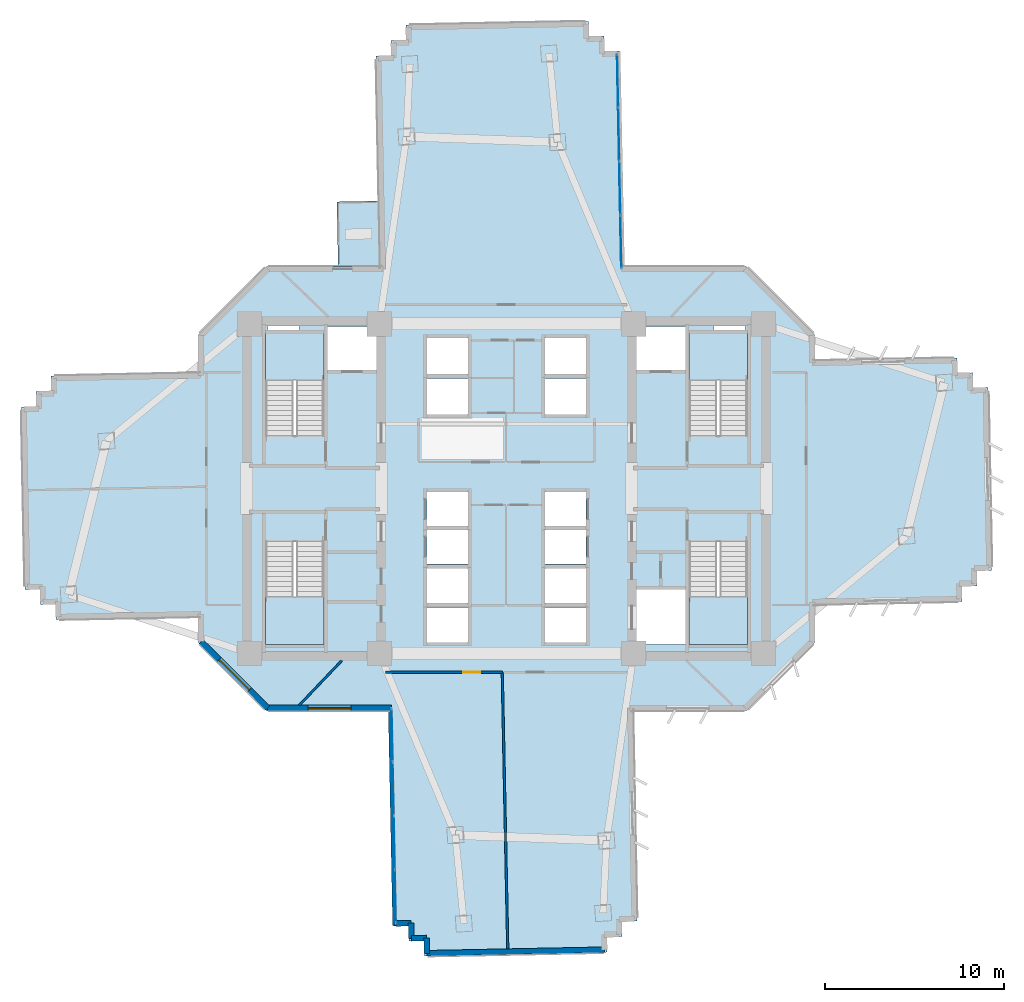
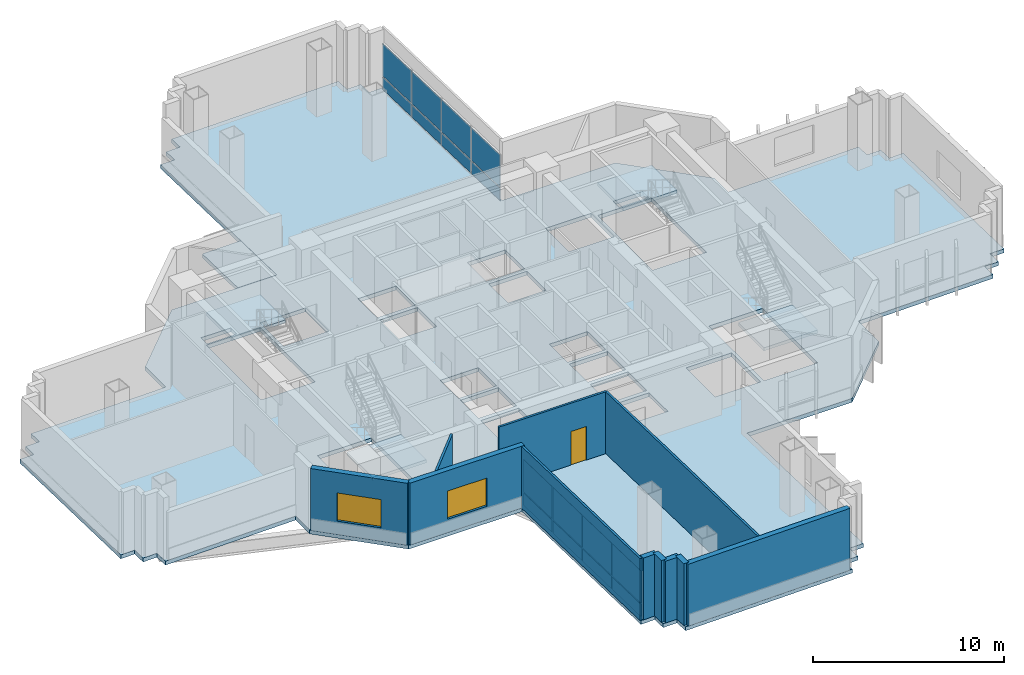
# One storey, part 5 of 15: 16 plates, 11 walls, 6 slabs, 2 windows, 1 door, 3 openings, 6 elements without a shape of their own.
"""IFC4 building model written with IfcOpenShell, lengths in metres."""

from ifc_helpers import new_model, si_unit, direction, frame, frame_2d, origin, origin_2d, place, context, subcontext, project, spatial, polyline, rectangle, outline, extrude, source, transform, mapped, material, layer, layer_set, type_object, element, fill, aggregate, save


model = new_model("IFC4")

# Units and contexts
model_context = context("Model", 3, precision=1e-05, world=origin(), true_north=direction((0.0, 1.0)))
body_context = subcontext(model_context, "Body", "Model", "MODEL_VIEW")
ifc_project = project(units=[si_unit("LENGTHUNIT", "METRE"), si_unit("AREAUNIT", "SQUARE_METRE"), si_unit("VOLUMEUNIT", "CUBIC_METRE"), si_unit("PLANEANGLEUNIT", "RADIAN"), si_unit("MASSUNIT", "GRAM", prefix="KILO")], contexts=[model_context])

# Site, building, storey
site_placement = place(None, origin())
site = spatial("IfcSite", under=ifc_project, at=site_placement, CompositionType="ELEMENT")
building_placement = place(site_placement, origin())
building = spatial("IfcBuilding", under=site, at=building_placement, Name="Zahravan Cultural Tower", CompositionType="ELEMENT")
storey_placement = place(building_placement, frame((0.0, 0.0, 45.89990234375)))
storey = spatial("IfcBuildingStorey", under=building, at=storey_placement, Name="L09", CompositionType="ELEMENT", Elevation=45.89990234375)

# Stair, slab
ifc_material_1 = material(Name="Concrete C45/55", Category="concrete")
stair_type = type_object("IfcStairType", Name="STR-DL-1550-420", PredefinedType="HALF_TURN_STAIR", material=ifc_material_1)
stair_1_placement = place(storey_placement, origin())
stair_1 = element("IfcStair", 1, at=stair_1_placement, inside=storey, type_object=stair_type, Name="L09 West Core North Exit Stair ST-W1", PredefinedType="HALF_TURN_STAIR")
ifc_layer_1 = layer(ifc_material_1, 0.199951171875)
ifc_layer_set_1 = layer_set([ifc_layer_1], Name="Concrete C45/55")
slab_type_1 = type_object("IfcSlabType", Name="SL-STAIR-LND200", PredefinedType="LANDING", material=ifc_layer_set_1)
slab_1_placement = place(storey_placement, frame((0.0, 0.0, 1.900146484375)))
slab_1 = element("IfcSlab", 2, at=slab_1_placement, type_object=slab_type_1, Name="ST-W1 landing 1", PredefinedType="LANDING", context=body_context, shape_type="SweptSolid", body=[
    extrude(outline(polyline([(25.800048828125, 33.030029296875), (25.800048828125, 35.699951171875), (22.550048828125, 35.699951171875), (22.550048828125, 33.030029296875), (25.800048828125, 33.030029296875)])), origin(), (0.0, 0.0, 1.0), 0.199951171875),
])
aggregate(stair_1, [slab_1])

stair_2_placement = place(storey_placement, origin())
stair_2 = element("IfcStair", 3, at=stair_2_placement, inside=storey, type_object=stair_type, Name="L09 West Core South Exit Stair ST-W2", PredefinedType="HALF_TURN_STAIR")
slab_2_placement = place(storey_placement, frame((0.0, 0.0, 1.900146484375)))
slab_2 = element("IfcSlab", 4, at=slab_2_placement, type_object=slab_type_1, Name="ST-W2 landing 1", PredefinedType="LANDING", context=body_context, shape_type="SweptSolid", body=[
    extrude(outline(polyline([(22.550048828125, 20.969970703125), (22.550048828125, 18.300048828125), (25.800048828125, 18.300048828125), (25.800048828125, 20.969970703125), (22.550048828125, 20.969970703125)])), origin(), (0.0, 0.0, 1.0), 0.199951171875),
])
aggregate(stair_2, [slab_2])

stair_3_placement = place(storey_placement, origin())
stair_3 = element("IfcStair", 5, at=stair_3_placement, inside=storey, type_object=stair_type, Name="L09 East Core North Exit Stair ST-E1", PredefinedType="HALF_TURN_STAIR")
slab_3_placement = place(storey_placement, frame((0.0, 0.0, 1.900146484375)))
slab_3 = element("IfcSlab", 6, at=slab_3_placement, type_object=slab_type_1, Name="ST-E1 landing 1", PredefinedType="LANDING", context=body_context, shape_type="SweptSolid", body=[
    extrude(outline(polyline([(49.449951171875, 33.030029296875), (49.449951171875, 35.699951171875), (46.199951171875, 35.699951171875), (46.199951171875, 33.030029296875), (49.449951171875, 33.030029296875)])), origin(), (0.0, 0.0, 1.0), 0.199951171875),
])
aggregate(stair_3, [slab_3])

stair_4_placement = place(storey_placement, origin())
stair_4 = element("IfcStair", 7, at=stair_4_placement, inside=storey, type_object=stair_type, Name="L09 East Core South Exit Stair ST-E2", PredefinedType="HALF_TURN_STAIR")
slab_4_placement = place(storey_placement, frame((0.0, 0.0, 1.900146484375)))
slab_4 = element("IfcSlab", 8, at=slab_4_placement, type_object=slab_type_1, Name="ST-E2 landing 1", PredefinedType="LANDING", context=body_context, shape_type="SweptSolid", body=[
    extrude(outline(polyline([(46.199951171875, 20.969970703125), (46.199951171875, 18.300048828125), (49.449951171875, 18.300048828125), (49.449951171875, 20.969970703125), (46.199951171875, 20.969970703125)])), origin(), (0.0, 0.0, 1.0), 0.199951171875),
])
aggregate(stair_4, [slab_4])

# Slabs
ifc_material_2 = material(Name="Concrete C40/50", Category="concrete")
ifc_layer_2 = layer(ifc_material_2, 0.239990234375)
ifc_layer_set_2 = layer_set([ifc_layer_2], Name="Concrete C40/50")
slab_type_2 = type_object("IfcSlabType", Name="SL-TERR-240", PredefinedType="FLOOR", material=ifc_layer_set_2)
slab_5_placement = place(storey_placement, frame((0.0, 0.0, -0.239990234375)))
element("IfcSlab", 9, at=slab_5_placement, inside=storey, type_object=slab_type_2, Name="L09 Planted Sculpture Terrace NW", PredefinedType="FLOOR", context=body_context, shape_type="SweptSolid", body=[
    extrude(outline(polyline([(26.529541015625, 43.014892578125), (26.601318359375, 39.405029296875), (28.94677734375, 39.405029296875), (28.8740234375, 43.061279296875), (26.529541015625, 43.014892578125)])), origin(), (0.0, 0.0, 1.0), 0.239990234375),
])
ifc_layer_3 = layer(ifc_material_2, 0.25)
ifc_layer_set_3 = layer_set([ifc_layer_3], Name="Concrete C40/50")
slab_type_3 = type_object("IfcSlabType", Name="SL-TYP-250", PredefinedType="FLOOR", material=ifc_layer_set_3)
slab_6_placement = place(storey_placement, frame((0.0, 0.0, -0.25)))
element("IfcSlab", 10, at=slab_6_placement, inside=storey, type_object=slab_type_3, Name="L09 Structural Floor Slab", PredefinedType="FLOOR", context=body_context, shape_type="SweptSolid", body=[
    extrude(outline(polyline([(53.199951171875, 34.1435546875), (53.199951171875, 35.60009765625), (49.39990234375, 39.39990234375), (42.5546875, 39.39990234375), (42.315185546875, 51.430419921875), (41.46533203125, 51.41357421875), (41.448486328125, 52.263427734375), (40.5986328125, 52.24658203125), (40.581787109375, 53.09619140625), (30.3837890625, 52.893310546875), (30.400634765625, 52.043701171875), (29.55078125, 52.026611328125), (29.567626953125, 51.1767578125), (28.718017578125, 51.159912109375), (28.951904296875, 39.39990234375), (22.60009765625, 39.39990234375), (18.800048828125, 35.60009765625), (18.800048828125, 33.458984375), (10.569580078125, 33.29541015625), (10.586669921875, 32.445556640625), (9.73681640625, 32.4287109375), (9.753662109375, 31.57861328125), (8.90380859375, 31.561767578125), (9.106689453125, 21.36376953125), (9.95654296875, 21.380615234375), (9.9736328125, 20.531005859375), (10.823486328125, 20.5478515625), (10.84033203125, 19.697998046875), (18.800048828125, 19.8564453125), (18.800048828125, 18.39990234375), (22.60009765625, 14.60009765625), (29.4453125, 14.60009765625), (29.684814453125, 2.569580078125), (30.53466796875, 2.58642578125), (30.551513671875, 1.736572265625), (31.4013671875, 1.75341796875), (31.418212890625, 0.90380859375), (41.6162109375, 1.106689453125), (41.599365234375, 1.956298828125), (42.44921875, 1.973388671875), (42.432373046875, 2.8232421875), (43.281982421875, 2.840087890625), (43.048095703125, 14.60009765625), (49.39990234375, 14.60009765625), (53.199951171875, 18.39990234375), (53.199951171875, 20.541015625), (61.430419921875, 20.70458984375), (61.413330078125, 21.554443359375), (62.26318359375, 21.5712890625), (62.246337890625, 22.42138671875), (63.09619140625, 22.438232421875), (62.893310546875, 32.63623046875), (62.04345703125, 32.619384765625), (62.0263671875, 33.468994140625), (61.176513671875, 33.4521484375), (61.15966796875, 34.302001953125), (53.199951171875, 34.1435546875)]), holes=[polyline([(22.550048828125, 29.949951171875), (22.550048828125, 35.699951171875), (25.800048828125, 35.699951171875), (25.800048828125, 29.949951171875), (22.550048828125, 29.949951171875)]), polyline([(22.550048828125, 18.300048828125), (22.550048828125, 24.050048828125), (25.800048828125, 24.050048828125), (25.800048828125, 18.300048828125), (22.550048828125, 18.300048828125)]), polyline([(46.199951171875, 29.949951171875), (46.199951171875, 35.699951171875), (49.449951171875, 35.699951171875), (49.449951171875, 29.949951171875), (46.199951171875, 29.949951171875)]), polyline([(46.199951171875, 18.300048828125), (46.199951171875, 24.050048828125), (49.449951171875, 24.050048828125), (49.449951171875, 18.300048828125), (46.199951171875, 18.300048828125)]), polyline([(26.0, 33.60009765625), (26.0, 36.050048828125), (28.75, 36.050048828125), (28.75, 33.60009765625), (26.0, 33.60009765625)]), polyline([(43.25, 33.60009765625), (43.25, 36.050048828125), (46.0, 36.050048828125), (46.0, 33.60009765625), (43.25, 33.60009765625)]), polyline([(43.25, 18.300048828125), (43.25, 21.35009765625), (46.0, 21.35009765625), (46.0, 18.300048828125), (43.25, 18.300048828125)]), polyline([(31.550048828125, 33.39990234375), (31.550048828125, 35.39990234375), (33.85009765625, 35.39990234375), (33.85009765625, 33.39990234375), (31.550048828125, 33.39990234375)]), polyline([(31.550048828125, 31.14990234375), (31.550048828125, 33.14990234375), (33.85009765625, 33.14990234375), (33.85009765625, 31.14990234375), (31.550048828125, 31.14990234375)]), polyline([(38.14990234375, 33.39990234375), (38.14990234375, 35.39990234375), (40.449951171875, 35.39990234375), (40.449951171875, 33.39990234375), (38.14990234375, 33.39990234375)]), polyline([(38.14990234375, 31.14990234375), (38.14990234375, 33.14990234375), (40.449951171875, 33.14990234375), (40.449951171875, 31.14990234375), (38.14990234375, 31.14990234375)]), polyline([(31.550048828125, 20.60009765625), (31.550048828125, 22.550048828125), (33.85009765625, 22.550048828125), (33.85009765625, 20.60009765625), (31.550048828125, 20.60009765625)]), polyline([(31.550048828125, 18.39990234375), (31.550048828125, 20.35009765625), (33.85009765625, 20.35009765625), (33.85009765625, 18.39990234375), (31.550048828125, 18.39990234375)]), polyline([(38.14990234375, 20.60009765625), (38.14990234375, 22.550048828125), (40.449951171875, 22.550048828125), (40.449951171875, 20.60009765625), (38.14990234375, 20.60009765625)]), polyline([(38.14990234375, 18.39990234375), (38.14990234375, 20.35009765625), (40.449951171875, 20.35009765625), (40.449951171875, 18.39990234375), (38.14990234375, 18.39990234375)]), polyline([(31.550048828125, 24.89990234375), (31.550048828125, 26.800048828125), (33.85009765625, 26.800048828125), (33.85009765625, 24.89990234375), (31.550048828125, 24.89990234375)]), polyline([(31.550048828125, 22.800048828125), (31.550048828125, 24.699951171875), (33.85009765625, 24.699951171875), (33.85009765625, 22.800048828125), (31.550048828125, 22.800048828125)]), polyline([(38.14990234375, 24.89990234375), (38.14990234375, 26.800048828125), (40.449951171875, 26.800048828125), (40.449951171875, 24.89990234375), (38.14990234375, 24.89990234375)]), polyline([(38.14990234375, 22.800048828125), (38.14990234375, 24.699951171875), (40.449951171875, 24.699951171875), (40.449951171875, 22.800048828125), (38.14990234375, 22.800048828125)]), polyline([(22.64990234375, 35.800048828125), (22.64990234375, 36.419921875), (24.449951171875, 36.419921875), (24.449951171875, 35.800048828125), (22.64990234375, 35.800048828125)]), polyline([(47.550048828125, 35.800048828125), (47.550048828125, 36.419921875), (49.35009765625, 36.419921875), (49.35009765625, 35.800048828125), (47.550048828125, 35.800048828125)])]), origin(), (0.0, 0.0, 1.0), 0.25),
])

# Curtain wall, plates
ifc_material_3 = material(Name="Anodised bronze-aluminium mullion", Category="aluminium")
ifc_layer_4 = layer(ifc_material_3, 0.179931640625)
ifc_layer_set_4 = layer_set([ifc_layer_4], Name="Anodised bronze-aluminium mullion")
curtain_wall_type_1 = type_object("IfcCurtainWallType", Name="CW-SYS-3", PredefinedType="USERDEFINED", material=ifc_layer_set_4)
curtain_wall_1_placement = place(storey_placement, origin())
curtain_wall_1 = element("IfcCurtainWall", 11, at=curtain_wall_1_placement, inside=storey, type_object=curtain_wall_type_1, Name="L09 Recessed Curtain Wall CW-3.1", ObjectType="RECESSED GLAZING", PredefinedType="USERDEFINED")
ifc_material_4 = material(Name="Low-E solar-control double glazing", Category="glass")
ifc_layer_5 = layer(ifc_material_4, 0.028076171875)
ifc_layer_set_5 = layer_set([ifc_layer_5], Name="Low-E solar-control double glazing")
plate_type_1 = type_object("IfcPlateType", Name="CWP-CW-3", PredefinedType="CURTAIN_PANEL", material=ifc_layer_set_5)
shared_shape_1 = source(origin(), body_context, "Body", "SweptSolid", [
    extrude(rectangle(XDim=2.902587890625, YDim=0.028076171875, at=origin_2d()), origin(), (0.0, 0.0, 1.0), 0.794921875),
])
plate_1_placement = place(storey_placement, frame((29.791748046875, 4.233154296875, 0.070068359375), z_axis=(0.0, 0.0, 1.0), x_axis=(-0.019900113269, 0.999801973139, 0.0)))
plate_1 = element("IfcPlate", 12, at=plate_1_placement, type_object=plate_type_1, Name="CW-3 panel 1.1", PredefinedType="CURTAIN_PANEL", context=body_context, shape_type="MappedRepresentation", body=[
    mapped(shared_shape_1, transform((0.0, 0.0, 0.0), x_axis=(1.0, 0.0, 0.0), y_axis=(0.0, 1.0, 0.0), z_axis=(0.0, 0.0, 1.0), scale=1.0)),
])
plate_2_placement = place(storey_placement, frame((29.61279296875, 13.218994140625, 0.070068359375), z_axis=(0.0, 0.0, 1.0), x_axis=(-0.019900113269, 0.999801973139, 0.0)))
plate_2 = element("IfcPlate", 13, at=plate_2_placement, type_object=plate_type_1, Name="CW-3 panel 4.1", PredefinedType="CURTAIN_PANEL", context=body_context, shape_type="MappedRepresentation", body=[
    mapped(shared_shape_1, transform((0.0, 0.0, 0.0), x_axis=(1.0, 0.0, 0.0), y_axis=(0.0, 1.0, 0.0), z_axis=(0.0, 0.0, 1.0), scale=1.0)),
])
shared_shape_2 = source(origin(), body_context, "Body", "SweptSolid", [
    extrude(rectangle(XDim=2.902587890625, YDim=0.028076171875, at=origin_2d()), origin(), (0.0, 0.0, 1.0), 2.06494140625),
])
plate_3_placement = place(storey_placement, frame((29.791748046875, 4.233154296875, 0.93505859375), z_axis=(0.0, 0.0, 1.0), x_axis=(-0.019900113269, 0.999801973139, 0.0)))
plate_3 = element("IfcPlate", 14, at=plate_3_placement, type_object=plate_type_1, Name="CW-3 panel 1.2", PredefinedType="CURTAIN_PANEL", context=body_context, shape_type="MappedRepresentation", body=[
    mapped(shared_shape_2, transform((0.0, 0.0, 0.0), x_axis=(1.0, 0.0, 0.0), y_axis=(0.0, 1.0, 0.0), z_axis=(0.0, 0.0, 1.0), scale=1.0)),
])
plate_4_placement = place(storey_placement, frame((29.61279296875, 13.218994140625, 0.93505859375), z_axis=(0.0, 0.0, 1.0), x_axis=(-0.019900113269, 0.999801973139, 0.0)))
plate_4 = element("IfcPlate", 15, at=plate_4_placement, type_object=plate_type_1, Name="CW-3 panel 4.2", PredefinedType="CURTAIN_PANEL", context=body_context, shape_type="MappedRepresentation", body=[
    mapped(shared_shape_2, transform((0.0, 0.0, 0.0), x_axis=(1.0, 0.0, 0.0), y_axis=(0.0, 1.0, 0.0), z_axis=(0.0, 0.0, 1.0), scale=1.0)),
])
shared_shape_3 = source(origin(), body_context, "Body", "SweptSolid", [
    extrude(rectangle(XDim=2.9375, YDim=0.028076171875, at=origin_2d()), origin(), (0.0, 0.0, 1.0), 0.794921875),
])
plate_5_placement = place(storey_placement, frame((29.732177734375, 7.22265625, 0.070068359375), z_axis=(0.0, 0.0, 1.0), x_axis=(-0.019900113269, 0.999801973139, 0.0)))
plate_5 = element("IfcPlate", 16, at=plate_5_placement, type_object=plate_type_1, Name="CW-3 panel 2.1", PredefinedType="CURTAIN_PANEL", context=body_context, shape_type="MappedRepresentation", body=[
    mapped(shared_shape_3, transform((0.0, 0.0, 0.0), x_axis=(1.0, 0.0, 0.0), y_axis=(0.0, 1.0, 0.0), z_axis=(0.0, 0.0, 1.0), scale=1.0)),
])
plate_6_placement = place(storey_placement, frame((29.67236328125, 10.2294921875, 0.070068359375), z_axis=(0.0, 0.0, 1.0), x_axis=(-0.019900113269, 0.999801973139, 0.0)))
plate_6 = element("IfcPlate", 17, at=plate_6_placement, type_object=plate_type_1, Name="CW-3 panel 3.1", PredefinedType="CURTAIN_PANEL", context=body_context, shape_type="MappedRepresentation", body=[
    mapped(shared_shape_3, transform((0.0, 0.0, 0.0), x_axis=(1.0, 0.0, 0.0), y_axis=(0.0, 1.0, 0.0), z_axis=(0.0, 0.0, 1.0), scale=1.0)),
])
shared_shape_4 = source(origin(), body_context, "Body", "SweptSolid", [
    extrude(rectangle(XDim=2.9375, YDim=0.028076171875, at=origin_2d()), origin(), (0.0, 0.0, 1.0), 2.06494140625),
])
plate_7_placement = place(storey_placement, frame((29.732177734375, 7.22265625, 0.93505859375), z_axis=(0.0, 0.0, 1.0), x_axis=(-0.019900113269, 0.999801973139, 0.0)))
plate_7 = element("IfcPlate", 18, at=plate_7_placement, type_object=plate_type_1, Name="CW-3 panel 2.2", PredefinedType="CURTAIN_PANEL", context=body_context, shape_type="MappedRepresentation", body=[
    mapped(shared_shape_4, transform((0.0, 0.0, 0.0), x_axis=(1.0, 0.0, 0.0), y_axis=(0.0, 1.0, 0.0), z_axis=(0.0, 0.0, 1.0), scale=1.0)),
])
plate_8_placement = place(storey_placement, frame((29.67236328125, 10.2294921875, 0.93505859375), z_axis=(0.0, 0.0, 1.0), x_axis=(-0.019900113269, 0.999801973139, 0.0)))
plate_8 = element("IfcPlate", 19, at=plate_8_placement, type_object=plate_type_1, Name="CW-3 panel 3.2", PredefinedType="CURTAIN_PANEL", context=body_context, shape_type="MappedRepresentation", body=[
    mapped(shared_shape_4, transform((0.0, 0.0, 0.0), x_axis=(1.0, 0.0, 0.0), y_axis=(0.0, 1.0, 0.0), z_axis=(0.0, 0.0, 1.0), scale=1.0)),
])
aggregate(curtain_wall_1, [plate_1, plate_3, plate_5, plate_7, plate_6, plate_8, plate_2, plate_4])

ifc_layer_6 = layer(ifc_material_3, 0.1650390625)
ifc_layer_set_6 = layer_set([ifc_layer_6], Name="Anodised bronze-aluminium mullion")
curtain_wall_type_2 = type_object("IfcCurtainWallType", Name="CW-SYS-4", PredefinedType="USERDEFINED", material=ifc_layer_set_6)
curtain_wall_2_placement = place(storey_placement, origin())
curtain_wall_2 = element("IfcCurtainWall", 20, at=curtain_wall_2_placement, inside=storey, type_object=curtain_wall_type_2, Name="L09 Recessed Curtain Wall CW-4.2", ObjectType="RECESSED GLAZING", PredefinedType="USERDEFINED")
ifc_layer_7 = layer(ifc_material_4, 0.02587890625)
ifc_layer_set_7 = layer_set([ifc_layer_7], Name="Low-E solar-control double glazing")
plate_type_2 = type_object("IfcPlateType", Name="CWP-CW-4", PredefinedType="CURTAIN_PANEL", material=ifc_layer_set_7)
shared_shape_5 = source(origin(), body_context, "Body", "SweptSolid", [
    extrude(rectangle(XDim=2.909912109375, YDim=0.02587890625, at=origin_2d()), origin(), (0.0, 0.0, 1.0), 0.802490234375),
])
plate_9_placement = place(storey_placement, frame((42.208251953125, 49.76806640625, 0.06494140625), z_axis=(0.0, 0.0, 1.0), x_axis=(0.019900113269, -0.999801973139, 0.0)))
plate_9 = element("IfcPlate", 21, at=plate_9_placement, type_object=plate_type_2, Name="CW-4 panel 1.1", PredefinedType="CURTAIN_PANEL", context=body_context, shape_type="MappedRepresentation", body=[
    mapped(shared_shape_5, transform((0.0, 0.0, 0.0), x_axis=(1.0, 0.0, 0.0), y_axis=(0.0, 1.0, 0.0), z_axis=(0.0, 0.0, 1.0), scale=1.0)),
])
plate_10_placement = place(storey_placement, frame((42.38720703125, 40.77978515625, 0.06494140625), z_axis=(0.0, 0.0, 1.0), x_axis=(0.019900113269, -0.999801973139, 0.0)))
plate_10 = element("IfcPlate", 22, at=plate_10_placement, type_object=plate_type_2, Name="CW-4 panel 4.1", PredefinedType="CURTAIN_PANEL", context=body_context, shape_type="MappedRepresentation", body=[
    mapped(shared_shape_5, transform((0.0, 0.0, 0.0), x_axis=(1.0, 0.0, 0.0), y_axis=(0.0, 1.0, 0.0), z_axis=(0.0, 0.0, 1.0), scale=1.0)),
])
shared_shape_6 = source(origin(), body_context, "Body", "SweptSolid", [
    extrude(rectangle(XDim=2.909912109375, YDim=0.02587890625, at=origin_2d()), origin(), (0.0, 0.0, 1.0), 2.072509765625),
])
plate_11_placement = place(storey_placement, frame((42.208251953125, 49.76806640625, 0.9326171875), z_axis=(0.0, 0.0, 1.0), x_axis=(0.019900113269, -0.999801973139, 0.0)))
plate_11 = element("IfcPlate", 23, at=plate_11_placement, type_object=plate_type_2, Name="CW-4 panel 1.2", PredefinedType="CURTAIN_PANEL", context=body_context, shape_type="MappedRepresentation", body=[
    mapped(shared_shape_6, transform((0.0, 0.0, 0.0), x_axis=(1.0, 0.0, 0.0), y_axis=(0.0, 1.0, 0.0), z_axis=(0.0, 0.0, 1.0), scale=1.0)),
])
plate_12_placement = place(storey_placement, frame((42.38720703125, 40.77978515625, 0.9326171875), z_axis=(0.0, 0.0, 1.0), x_axis=(0.019900113269, -0.999801973139, 0.0)))
plate_12 = element("IfcPlate", 24, at=plate_12_placement, type_object=plate_type_2, Name="CW-4 panel 4.2", PredefinedType="CURTAIN_PANEL", context=body_context, shape_type="MappedRepresentation", body=[
    mapped(shared_shape_6, transform((0.0, 0.0, 0.0), x_axis=(1.0, 0.0, 0.0), y_axis=(0.0, 1.0, 0.0), z_axis=(0.0, 0.0, 1.0), scale=1.0)),
])
shared_shape_7 = source(origin(), body_context, "Body", "SweptSolid", [
    extrude(rectangle(XDim=2.942626953125, YDim=0.02587890625, at=origin_2d()), origin(), (0.0, 0.0, 1.0), 0.802490234375),
])
plate_13_placement = place(storey_placement, frame((42.267822265625, 46.77734375, 0.06494140625), z_axis=(0.0, 0.0, 1.0), x_axis=(0.019900113269, -0.999801973139, 0.0)))
plate_13 = element("IfcPlate", 25, at=plate_13_placement, type_object=plate_type_2, Name="CW-4 panel 2.1", PredefinedType="CURTAIN_PANEL", context=body_context, shape_type="MappedRepresentation", body=[
    mapped(shared_shape_7, transform((0.0, 0.0, 0.0), x_axis=(1.0, 0.0, 0.0), y_axis=(0.0, 1.0, 0.0), z_axis=(0.0, 0.0, 1.0), scale=1.0)),
])
plate_14_placement = place(storey_placement, frame((42.32763671875, 43.7705078125, 0.06494140625), z_axis=(0.0, 0.0, 1.0), x_axis=(0.019900113269, -0.999801973139, 0.0)))
plate_14 = element("IfcPlate", 26, at=plate_14_placement, type_object=plate_type_2, Name="CW-4 panel 3.1", PredefinedType="CURTAIN_PANEL", context=body_context, shape_type="MappedRepresentation", body=[
    mapped(shared_shape_7, transform((0.0, 0.0, 0.0), x_axis=(1.0, 0.0, 0.0), y_axis=(0.0, 1.0, 0.0), z_axis=(0.0, 0.0, 1.0), scale=1.0)),
])
shared_shape_8 = source(origin(), body_context, "Body", "SweptSolid", [
    extrude(rectangle(XDim=2.942626953125, YDim=0.02587890625, at=origin_2d()), origin(), (0.0, 0.0, 1.0), 2.072509765625),
])
plate_15_placement = place(storey_placement, frame((42.267822265625, 46.77734375, 0.9326171875), z_axis=(0.0, 0.0, 1.0), x_axis=(0.019900113269, -0.999801973139, 0.0)))
plate_15 = element("IfcPlate", 27, at=plate_15_placement, type_object=plate_type_2, Name="CW-4 panel 2.2", PredefinedType="CURTAIN_PANEL", context=body_context, shape_type="MappedRepresentation", body=[
    mapped(shared_shape_8, transform((0.0, 0.0, 0.0), x_axis=(1.0, 0.0, 0.0), y_axis=(0.0, 1.0, 0.0), z_axis=(0.0, 0.0, 1.0), scale=1.0)),
])
plate_16_placement = place(storey_placement, frame((42.32763671875, 43.7705078125, 0.9326171875), z_axis=(0.0, 0.0, 1.0), x_axis=(0.019900113269, -0.999801973139, 0.0)))
plate_16 = element("IfcPlate", 28, at=plate_16_placement, type_object=plate_type_2, Name="CW-4 panel 3.2", PredefinedType="CURTAIN_PANEL", context=body_context, shape_type="MappedRepresentation", body=[
    mapped(shared_shape_8, transform((0.0, 0.0, 0.0), x_axis=(1.0, 0.0, 0.0), y_axis=(0.0, 1.0, 0.0), z_axis=(0.0, 0.0, 1.0), scale=1.0)),
])
aggregate(curtain_wall_2, [plate_9, plate_11, plate_13, plate_15, plate_14, plate_16, plate_10, plate_12])

# Wall, opening, window
ifc_material_5 = material(Name="Precast concrete C40/50", Category="concrete")
ifc_layer_8 = layer(ifc_material_5, 0.320068359375)
ifc_layer_set_8 = layer_set([ifc_layer_8], Name="Precast concrete C40/50")
wall_type_1 = type_object("IfcWallType", Name="EW-TC-320", PredefinedType="SOLIDWALL", material=ifc_layer_set_8)
wall_1_placement = place(storey_placement, frame((29.58251953125, 14.739990234375, 0.0), z_axis=(0.0, 0.0, 1.0), x_axis=(-1.0, 0.0, 0.0)))
wall_1 = element("IfcWall", 29, at=wall_1_placement, inside=storey, type_object=wall_type_1, Name="L09 Exterior Masonry Frame Wall 25", PredefinedType="SOLIDWALL", context=body_context, shape_type="SweptSolid", body=[
    extrude(rectangle(XDim=6.924560546875, YDim=0.320068359375, at=frame_2d((3.46240234375, 0.0))), origin(), (0.0, 0.0, 1.0), 3.9501953125),
])
opening_1_placement = place(wall_1_placement, frame((2.261962890625, 0.0, 0.85009765625)))
opening_1 = element("IfcOpeningElement", 30, at=opening_1_placement, cuts=wall_1, Name="Opening WN-01", PredefinedType="OPENING", context=body_context, shape_type="SweptSolid", body=[
    extrude(rectangle(XDim=2.39990234375, YDim=1.800048828125, at=frame_2d((1.199951171875, 0.89990234375))), frame((0.0, 0.169921875, 0.0), z_axis=(0.0, -1.0, 0.0), x_axis=(1.0, 0.0, 0.0)), (0.0, 0.0, 1.0), 0.340087890625),
])
window_type = type_object("IfcWindowType", Name="WN-REC-2400X1800", PartitioningType="DOUBLE_PANEL_VERTICAL", PredefinedType="WINDOW", material=ifc_material_4)
shared_shape_9 = source(origin(), body_context, "Body", "SweptSolid", [
    extrude(rectangle(XDim=2.39990234375, YDim=1.800048828125, at=frame_2d((1.199951171875, 0.89990234375))), frame((0.0, 0.030029296875, 0.0), z_axis=(0.0, -1.0, 0.0), x_axis=(1.0, 0.0, 0.0)), (0.0, 0.0, 1.0), 0.06005859375),
])
window_1_placement = place(opening_1_placement, origin())
window_1 = element("IfcWindow", 31, at=window_1_placement, inside=storey, type_object=window_type, Name="L09 Recessed Solar Window 07", OverallHeight=1.800048828125, OverallWidth=2.39990234375, PartitioningType="DOUBLE_PANEL_VERTICAL", PredefinedType="WINDOW", context=body_context, shape_type="MappedRepresentation", body=[
    mapped(shared_shape_9, transform((0.0, 0.0, 0.0), x_axis=(1.0, 0.0, 0.0), y_axis=(0.0, 1.0, 0.0), z_axis=(0.0, 0.0, 1.0), scale=1.0)),
])
fill(opening_1, window_1)

wall_2_placement = place(storey_placement, frame((22.657958984375, 14.739990234375, 0.0), z_axis=(0.0, 0.0, 1.0), x_axis=(-0.707106781187, 0.707106781187, 0.0)))
wall_2 = element("IfcWall", 32, at=wall_2_placement, inside=storey, type_object=wall_type_1, Name="L09 Exterior Masonry Frame Wall 26", PredefinedType="SOLIDWALL", context=body_context, shape_type="SweptSolid", body=[
    extrude(rectangle(XDim=5.258056640625, YDim=0.320068359375, at=frame_2d((2.62890625, 0.0))), origin(), (0.0, 0.0, 1.0), 3.9501953125),
])
opening_2_placement = place(wall_2_placement, frame((1.428955078125, 0.0, 0.85009765625)))
opening_2 = element("IfcOpeningElement", 33, at=opening_2_placement, cuts=wall_2, Name="Opening WN-01", PredefinedType="OPENING", context=body_context, shape_type="SweptSolid", body=[
    extrude(rectangle(XDim=2.39990234375, YDim=1.800048828125, at=frame_2d((1.199951171875, 0.89990234375))), frame((0.0, 0.169921875, 0.0), z_axis=(0.0, -1.0, 0.0), x_axis=(1.0, 0.0, 0.0)), (0.0, 0.0, 1.0), 0.340087890625),
])
window_2_placement = place(opening_2_placement, origin())
window_2 = element("IfcWindow", 34, at=window_2_placement, inside=storey, type_object=window_type, Name="L09 Recessed Solar Window 08", OverallHeight=1.800048828125, OverallWidth=2.39990234375, PartitioningType="DOUBLE_PANEL_VERTICAL", PredefinedType="WINDOW", context=body_context, shape_type="MappedRepresentation", body=[
    mapped(shared_shape_9, transform((0.0, 0.0, 0.0), x_axis=(1.0, 0.0, 0.0), y_axis=(0.0, 1.0, 0.0), z_axis=(0.0, 0.0, 1.0), scale=1.0)),
])
fill(opening_2, window_2)

# Wall, opening, door
ifc_material_6 = material(Name="Gypsum plasterboard partition")
ifc_layer_9 = layer(ifc_material_6, 0.125)
ifc_layer_set_9 = layer_set([ifc_layer_9], Name="Gypsum plasterboard partition")
wall_type_2 = type_object("IfcWallType", Name="W-PART-125", PredefinedType="PARTITIONING", material=ifc_layer_set_9)
wall_3_placement = place(storey_placement, frame((29.257568359375, 16.740234375, 0.0), z_axis=(0.0, 0.0, 1.0), x_axis=(0.999999999296, -3.7522044e-05, 0.0)))
wall_3 = element("IfcWall", 35, at=wall_3_placement, inside=storey, type_object=wall_type_2, Name="L09 Interior Wall 093", PredefinedType="PARTITIONING", context=body_context, shape_type="SweptSolid", body=[
    extrude(rectangle(XDim=6.506591796875, YDim=0.125, at=frame_2d((3.25341796875, 0.0))), origin(), (0.0, 0.0, 1.0), 3.9501953125),
])
opening_3_placement = place(wall_3_placement, frame((4.333984375, 0.0, 0.0)))
opening_3 = element("IfcOpeningElement", 36, at=opening_3_placement, cuts=wall_3, Name="Opening D-L09-23", PredefinedType="OPENING", context=body_context, shape_type="SweptSolid", body=[
    extrude(rectangle(XDim=0.949951171875, YDim=2.14990234375, at=frame_2d((0.47509765625, 1.074951171875))), frame((0.0, 0.072509765625, 0.0), z_axis=(0.0, -1.0, 0.0), x_axis=(1.0, 0.0, 0.0)), (0.0, 0.0, 1.0), 0.14501953125),
])
door_type = type_object("IfcDoorType", Name="DR-ROOM-950", OperationType="NOTDEFINED", PredefinedType="DOOR", material=ifc_material_3)
shared_shape_10 = source(origin(), body_context, "Body", "SweptSolid", [
    extrude(rectangle(XDim=0.949951171875, YDim=2.14990234375, at=frame_2d((0.47509765625, 1.074951171875))), frame((0.0, 0.02490234375, 0.0), z_axis=(0.0, -1.0, 0.0), x_axis=(1.0, 0.0, 0.0)), (0.0, 0.0, 1.0), 0.050048828125),
])
door_placement = place(opening_3_placement, origin())
door = element("IfcDoor", 37, at=door_placement, inside=storey, type_object=door_type, Name="L09 Door D-L09-23", OperationType="SINGLE_SWING_LEFT", OverallHeight=2.14990234375, OverallWidth=0.949951171875, PredefinedType="DOOR", context=body_context, shape_type="MappedRepresentation", body=[
    mapped(shared_shape_10, transform((0.0, 0.0, 0.0), x_axis=(1.0, 0.0, 0.0), y_axis=(0.0, 1.0, 0.0), z_axis=(0.0, 0.0, 1.0), scale=1.0)),
])
fill(opening_3, door)

# Walls
shared_shape_11 = source(origin(), body_context, "Body", "SweptSolid", [
    extrude(rectangle(XDim=0.85009765625, YDim=0.320068359375, at=frame_2d((0.425048828125, 0.0))), origin(), (0.0, 0.0, 1.0), 3.9501953125),
])
for number, where, z_axis, x_axis, name in (
    (38, (31.555419921875, 1.04638671875, 0.0), (0.0, 0.0, 1.0), (-0.019817997326, 0.999803604205, 0.0), "L09 Exterior Masonry Frame Wall 21"),
    (39, (31.53857421875, 1.896240234375, 0.0), (0.0, 0.0, 1.0), (-0.999803604205, -0.019817997326, 0.0), "L09 Exterior Masonry Frame Wall 22"),
    (40, (30.688720703125, 1.87939453125, 0.0), (0.0, 0.0, 1.0), (-0.019817997326, 0.999803604205, 0.0), "L09 Exterior Masonry Frame Wall 23"),
    (41, (30.671875, 2.729248046875, 0.0), (0.0, 0.0, 1.0), (-0.999803604205, -0.019817997326, 0.0), "L09 Exterior Masonry Frame Wall 24"),
):
    element("IfcWall", number, at=place(storey_placement, frame(where, z_axis=z_axis, x_axis=x_axis)), inside=storey, type_object=wall_type_1, Name=name, PredefinedType="SOLIDWALL", context=body_context, shape_type="MappedRepresentation", body=[
        mapped(shared_shape_11, transform((0.0, 0.0, 0.0), x_axis=(1.0, 0.0, 0.0), y_axis=(0.0, 1.0, 0.0), z_axis=(0.0, 0.0, 1.0), scale=1.0)),
    ])
shared_shape_12 = source(origin(), body_context, "Body", "SweptSolid", [
    extrude(rectangle(XDim=9.919921875, YDim=0.320068359375, at=frame_2d((4.9599609375, 0.0))), origin(), (0.0, 0.0, 1.0), 3.9501953125),
])
wall_4_placement = place(storey_placement, frame((41.473388671875, 1.243896484375, 0.0), z_axis=(0.0, 0.0, 1.0), x_axis=(-0.999801768563, -0.019910388705, 0.0)))
element("IfcWall", 42, at=wall_4_placement, inside=storey, type_object=wall_type_1, Name="L09 Exterior Masonry Frame Wall 20", PredefinedType="SOLIDWALL", context=body_context, shape_type="MappedRepresentation", body=[
    mapped(shared_shape_12, transform((0.0, 0.0, 0.0), x_axis=(1.0, 0.0, 0.0), y_axis=(0.0, 1.0, 0.0), z_axis=(0.0, 0.0, 1.0), scale=1.0)),
])
shared_shape_13 = source(origin(), body_context, "Body", "SweptSolid", [
    extrude(rectangle(XDim=3.437744140625, YDim=0.125, at=frame_2d((1.71875, 0.0))), origin(), (0.0, 0.0, 1.0), 3.9501953125),
])
wall_5_placement = place(storey_placement, frame((26.80322265625, 17.39501953125, 0.0), z_axis=(0.0, 0.0, 1.0), x_axis=(-0.689493786127, -0.724291597972, 0.0)))
element("IfcWall", 43, at=wall_5_placement, inside=storey, type_object=wall_type_2, Name="L09 Interior Wall 092", PredefinedType="PARTITIONING", context=body_context, shape_type="MappedRepresentation", body=[
    mapped(shared_shape_13, transform((0.0, 0.0, 0.0), x_axis=(1.0, 0.0, 0.0), y_axis=(0.0, 1.0, 0.0), z_axis=(0.0, 0.0, 1.0), scale=1.0)),
])
shared_shape_14 = source(origin(), body_context, "Body", "SweptSolid", [
    extrude(rectangle(XDim=15.441650390625, YDim=0.125, at=frame_2d((7.720703125, 0.0))), origin(), (0.0, 0.0, 1.0), 3.9501953125),
])
wall_6_placement = place(storey_placement, frame((35.76416015625, 16.739990234375, 0.0), z_axis=(0.0, 0.0, 1.0), x_axis=(0.01988979601, -0.999802178441, 0.0)))
element("IfcWall", 44, at=wall_6_placement, inside=storey, type_object=wall_type_2, Name="L09 Interior Wall 094", PredefinedType="PARTITIONING", context=body_context, shape_type="MappedRepresentation", body=[
    mapped(shared_shape_14, transform((0.0, 0.0, 0.0), x_axis=(1.0, 0.0, 0.0), y_axis=(0.0, 1.0, 0.0), z_axis=(0.0, 0.0, 1.0), scale=1.0)),
])
shared_shape_15 = source(origin(), body_context, "Body", "SweptSolid", [
    extrude(rectangle(XDim=11.987548828125, YDim=0.125, at=frame_2d((5.99365234375, 0.0))), origin(), (0.0, 0.0, 1.0), 3.9501953125),
])
wall_7_placement = place(storey_placement, frame((29.704345703125, 2.58984375, 0.0), z_axis=(0.0, 0.0, 1.0), x_axis=(-0.020060739884, 0.99979876311, 0.0)))
element("IfcWall", 45, at=wall_7_placement, inside=storey, type_object=wall_type_2, Name="L09 Interior Wall 095", PredefinedType="PARTITIONING", context=body_context, shape_type="MappedRepresentation", body=[
    mapped(shared_shape_15, transform((0.0, 0.0, 0.0), x_axis=(1.0, 0.0, 0.0), y_axis=(0.0, 1.0, 0.0), z_axis=(0.0, 0.0, 1.0), scale=1.0)),
])

save(model, "model.ifc")
